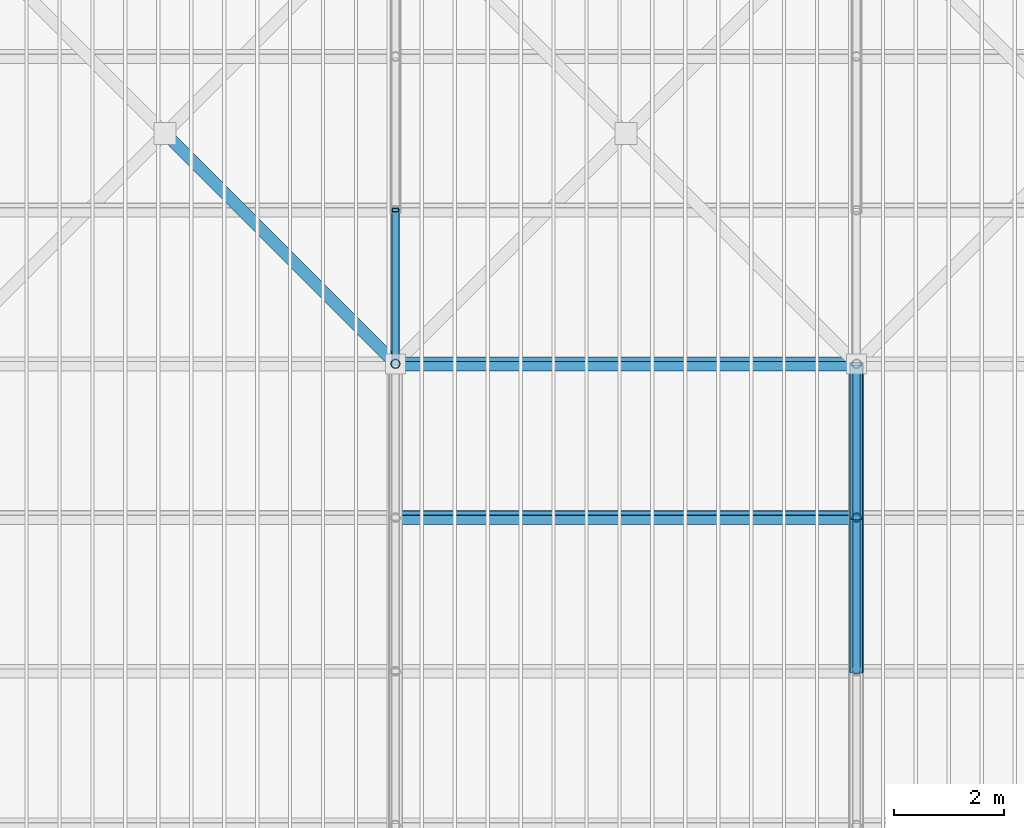
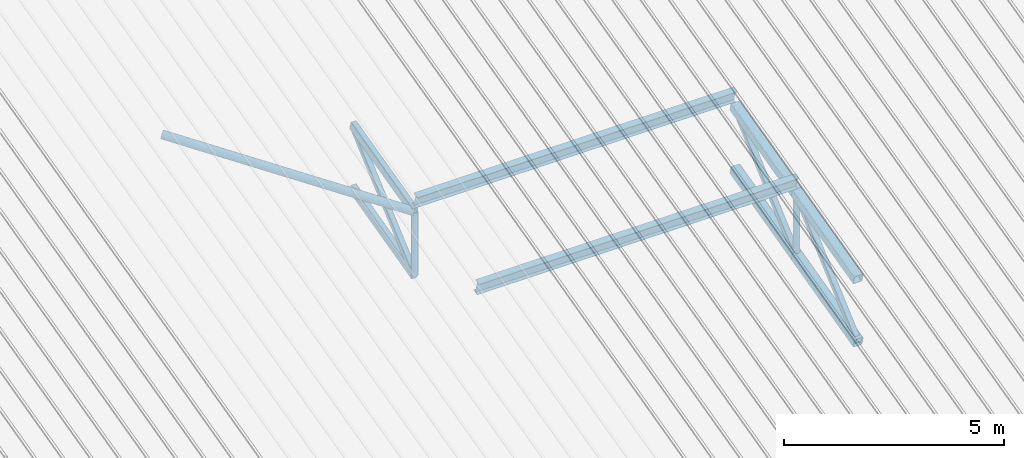
# One storey, part 13 of 114: 14 members.
"""IFC4 building model written with IfcOpenShell, lengths in metres."""

import ifcopenshell
import ifcopenshell.guid

model = None  # the IFC model being written
_history = None  # IfcOwnerHistory: only IFC2X3 demands one
_inside = {}  # id of a spatial element -> (the spatial element, [elements in it])
_under = {}  # id of a project, library or spatial element -> (it, [spatial elements below it])
_declared = {}  # id of a project -> (the project, [libraries it declares])
_typed = {}  # id of a type object -> (the type object, [elements of that type])
_made_of = {}  # id of a material, layer set ... -> (it, [elements and type objects made of it])


def new_model(schema):
    """Start an empty IFC model of exactly this schema.

    Asked for "IFC4X3", IfcOpenShell would pick the latest addendum, in which some entities
    have other attributes; the version numbers below select the first issue.
    IFC2X3 requires an IfcOwnerHistory on every rooted entity: one is made here for all.
    """
    global model, _history
    if schema == "IFC4X3":
        model = ifcopenshell.file(schema_version=(4, 3, 0, 0))
    else:
        model = ifcopenshell.file(schema=schema)
    _inside.clear()
    _under.clear()
    _declared.clear()
    _typed.clear()
    _made_of.clear()
    _history = None
    if model.schema == "IFC2X3":
        org = make("IfcOrganization", Name="unknown")
        user = make(
            "IfcPersonAndOrganization",
            ThePerson=make("IfcPerson", FamilyName="unknown"),
            TheOrganization=org,
        )
        app = make(
            "IfcApplication",
            ApplicationDeveloper=org,
            Version="unknown",
            ApplicationFullName="unknown",
            ApplicationIdentifier="unknown",
        )
        _history = make(
            "IfcOwnerHistory",
            OwningUser=user,
            OwningApplication=app,
            ChangeAction="ADDED",
            CreationDate=0,
        )
    return model


def make(cls, **values):
    """One entity of the class cls with the attributes given. An attribute that is None is left unset."""
    return model.create_entity(
        cls, **{name: value for name, value in values.items() if value is not None}
    )


def rooted(cls, **values):
    """An entity with a GlobalId (a new one), such as an element, a storey or a relation."""
    return make(cls, GlobalId=ifcopenshell.guid.new(), OwnerHistory=_history, **values)


def si_unit(unit_type, name, prefix=None):
    """IfcSIUnit, for example si_unit("LENGTHUNIT", "METRE", prefix="MILLI")."""
    return make("IfcSIUnit", UnitType=unit_type, Prefix=prefix, Name=name)


def assignment(units):
    """IfcUnitAssignment: the units of a project."""
    return None if units is None else make("IfcUnitAssignment", Units=units)


def point(xyz):
    """IfcCartesianPoint."""
    return None if xyz is None else make("IfcCartesianPoint", Coordinates=xyz)


def direction(xyz):
    """IfcDirection."""
    return None if xyz is None else make("IfcDirection", DirectionRatios=xyz)


def frame(location, z_axis=None, x_axis=None):
    """IfcAxis2Placement3D, a coordinate frame: its origin and axes. An axis left out is left unset."""
    return make(
        "IfcAxis2Placement3D",
        Location=point(location),
        Axis=direction(z_axis),
        RefDirection=direction(x_axis),
    )


def frame_2d(location, x_axis=None):
    """IfcAxis2Placement2D, a coordinate frame in the plane: its origin and x axis."""
    return make(
        "IfcAxis2Placement2D", Location=point(location), RefDirection=direction(x_axis)
    )


def origin():
    """The frame at (0, 0, 0) with its axes left unset."""
    return frame((0.0, 0.0, 0.0))


def origin_2d():
    """The frame at (0, 0) in the plane with its x axis left unset."""
    return frame_2d((0.0, 0.0))


def place(relative_to, where):
    """IfcLocalPlacement: puts the frame where relative to a parent placement (None: the world)."""
    return make(
        "IfcLocalPlacement", PlacementRelTo=relative_to, RelativePlacement=where
    )


def context(
    kind, dimensions, precision=None, world=None, true_north=None, identifier=None
):
    """IfcGeometricRepresentationContext, for example the 3D "Model" context."""
    return make(
        "IfcGeometricRepresentationContext",
        ContextIdentifier=identifier,
        ContextType=kind,
        CoordinateSpaceDimension=dimensions,
        Precision=precision,
        WorldCoordinateSystem=world,
        TrueNorth=true_north,
    )


def subcontext(parent, identifier, kind, view, scale=None):
    """IfcGeometricRepresentationSubContext, for example "Body" below "Model"."""
    return make(
        "IfcGeometricRepresentationSubContext",
        ContextIdentifier=identifier,
        ContextType=kind,
        ParentContext=parent,
        TargetScale=scale,
        TargetView=view,
    )


def project(units=None, contexts=None):
    """IfcProject with its units and contexts."""
    return rooted(
        "IfcProject",
        Name="project",
        RepresentationContexts=contexts,
        UnitsInContext=assignment(units),
    )


def spatial(cls, under=None, at=None, **own):
    """A site, building, storey or space (cls), placed at a placement, below another one or the project."""
    s = rooted(cls, ObjectPlacement=at, **own)
    if under is not None:
        _under.setdefault(under.id(), (under, []))[1].append(s)
    return s


def profile(cls, at=None, kind="AREA", **sizes):
    """A parametric profile (cls). Its sizes go by their IFC names, for example OverallWidth=200.0."""
    return make(cls, ProfileType=kind, Position=at, **sizes)


def hollow_rectangle(**sizes):
    """IfcRectangleHollowProfileDef."""
    return profile("IfcRectangleHollowProfileDef", **sizes)


def hollow_circle(**sizes):
    """IfcCircleHollowProfileDef."""
    return profile("IfcCircleHollowProfileDef", **sizes)


def i_section(**sizes):
    """IfcIShapeProfileDef."""
    return profile("IfcIShapeProfileDef", **sizes)


def extrude(swept, where, along, depth):
    """IfcExtrudedAreaSolid: the profile swept, set in the frame where, extruded along a direction by depth."""
    return make(
        "IfcExtrudedAreaSolid",
        SweptArea=swept,
        Position=where,
        ExtrudedDirection=direction(along),
        Depth=depth,
    )


def shape(context_of_items, identifier, shape_type, items):
    """IfcShapeRepresentation: the items that make up one representation, for example the "Body"."""
    return make(
        "IfcShapeRepresentation",
        ContextOfItems=context_of_items,
        RepresentationIdentifier=identifier,
        RepresentationType=shape_type,
        Items=items,
    )


def material(Name=None, Category=None):
    """IfcMaterial."""
    return make("IfcMaterial", Name=Name, Category=Category)


def material_profile(
    of_material, cross_section, Name=None, Category=None, Priority=None
):
    """IfcMaterialProfile: a cross section and its material."""
    return make(
        "IfcMaterialProfile",
        Name=Name,
        Material=of_material,
        Profile=cross_section,
        Priority=Priority,
        Category=Category,
    )


def profile_set(profiles, Name=None, composite=None):
    """IfcMaterialProfileSet."""
    return make(
        "IfcMaterialProfileSet",
        Name=Name,
        MaterialProfiles=profiles,
        CompositeProfile=composite,
    )


def made_of(thing, what):
    """Note that an element or type object is made of a material, layer set ...; save() writes the relation."""
    if what is not None:
        _made_of.setdefault(what.id(), (what, []))[1].append(thing)
    return thing


def type_object(cls, material=None, **own):
    """A type object (cls), such as IfcWallType, which elements share."""
    return made_of(rooted(cls, **own), material)


def element(
    cls,
    number,
    at=None,
    inside=None,
    cuts=None,
    type_object=None,
    material=None,
    context=None,
    identifier="Body",
    shape_type=None,
    held_by="IfcProductDefinitionShape",
    body=None,
    shapes=None,
    **own,
):
    """One element of the class cls, such as IfcWall. Its Tag is "e" and its number.

    at: its placement. inside: the storey or other place that contains it. cuts: it is an
    opening in that element (IfcRelVoidsElement). A single representation is given by context,
    identifier, shape_type and body (its items); several are given by shapes. held_by: the class
    of the entity that holds the representations. save() writes the other relations.
    """
    e = rooted(cls, Tag="e%d" % number, ObjectPlacement=at, **own)
    if body is not None:
        shapes = [shape(context, identifier, shape_type, body)]
    if shapes is not None:
        e.Representation = make(held_by, Representations=shapes)
    if inside is not None:
        _inside.setdefault(inside.id(), (inside, []))[1].append(e)
    if cuts is not None:
        rooted(
            "IfcRelVoidsElement", RelatingBuildingElement=cuts, RelatedOpeningElement=e
        )
    if type_object is not None:
        _typed.setdefault(type_object.id(), (type_object, []))[1].append(e)
    return made_of(e, material)


def aggregate(whole, parts):
    """IfcRelAggregates: a whole, such as a stair, and the parts it consists of."""
    return rooted("IfcRelAggregates", RelatingObject=whole, RelatedObjects=parts)


def save(model, path):
    """Write the relations noted so far, then the file.

    IfcRelAggregates (storeys below a building ...), IfcRelContainedInSpatialStructure (elements
    in a storey), IfcRelDefinesByType, IfcRelAssociatesMaterial and IfcRelDeclares: one each for
    every whole, place, type object, material and project.
    """
    for whole, parts in _under.values():
        aggregate(whole, parts)
    for where, things in _inside.values():
        rooted(
            "IfcRelContainedInSpatialStructure",
            RelatedElements=things,
            RelatingStructure=where,
        )
    for kind, things in _typed.values():
        rooted("IfcRelDefinesByType", RelatedObjects=things, RelatingType=kind)
    for what, things in _made_of.values():
        rooted("IfcRelAssociatesMaterial", RelatedObjects=things, RelatingMaterial=what)
    for by, libraries in _declared.values():
        rooted("IfcRelDeclares", RelatingContext=by, RelatedDefinitions=libraries)
    model.write(path)


model = new_model("IFC4")

# Units and contexts
model_context = context("Model", 3, precision=1e-05, world=origin(), true_north=direction((0.0, 1.0)))
body_context = subcontext(model_context, "Body", "Model", "MODEL_VIEW")
ifc_project = project(units=[si_unit("LENGTHUNIT", "METRE"), si_unit("AREAUNIT", "SQUARE_METRE"), si_unit("VOLUMEUNIT", "CUBIC_METRE"), si_unit("PLANEANGLEUNIT", "RADIAN"), si_unit("MASSUNIT", "GRAM", prefix="KILO")], contexts=[model_context])

# Site, building, storey
site_placement = place(None, origin())
site = spatial("IfcSite", under=ifc_project, at=site_placement, CompositionType="ELEMENT")
building_placement = place(site_placement, origin())
building = spatial("IfcBuilding", under=site, at=building_placement, Name="Almond Square Museum", CompositionType="ELEMENT")
storey_placement = place(building_placement, frame((0.0, 0.0, 10.5)))
storey = spatial("IfcBuildingStorey", under=building, at=storey_placement, Name="L02", CompositionType="ELEMENT", Elevation=10.5)

# Members
ifc_material_1 = material(Name="Structural steel S355", Category="steel")
ifc_material_profile_1 = material_profile(ifc_material_1, hollow_circle(Radius=0.109619140625, WallThickness=0.010009765625, at=origin_2d()))
ifc_profile_set_1 = profile_set([ifc_material_profile_1], Name="Structural steel S355")
member_type_1 = type_object("IfcMemberType", Name="Roof brace CHS 219.1x10", PredefinedType="BRACE", material=ifc_profile_set_1)
member_placement = place(storey_placement, frame((22.800048828125, 100.800048828125, 6.9794921875), z_axis=(-0.696057820864, 0.696057820864, 0.176088103029), x_axis=(-0.707106781187, -0.707106781187, 0.0)))
element("IfcMember", 1, at=member_placement, inside=storey, type_object=member_type_1, Name="Auditorium roof plan brace", PredefinedType="BRACE", context=body_context, shape_type="SweptSolid", body=[
    extrude(hollow_circle(Radius=0.109619140625, WallThickness=0.010009765625, at=origin_2d()), origin(), (0.0, 0.0, 1.0), 6.033935546875),
])
ifc_material_2 = material(Name="Structural steel S355", Category="steel")
ifc_material_profile_2 = material_profile(ifc_material_2, i_section(OverallWidth=0.1708984375, OverallDepth=0.35595703125, WebThickness=0.00732421875, FlangeThickness=0.01171875, at=origin_2d()))
ifc_profile_set_2 = profile_set([ifc_material_profile_2], Name="Structural steel S355")
member_type_2 = type_object("IfcMemberType", Name="Steel purlin W360x51", PredefinedType="PURLIN", material=ifc_profile_set_2)
for number, where, z_axis, x_axis, name in (
    (2, (22.800048828125, 98.0, 6.579833984375), (1.0, 0.0, 0.0), (0.0, 0.969459905022, 0.245249857402), "Auditorium purlin 10.3"),
    (3, (22.800048828125, 100.800048828125, 7.2880859375), (1.0, 0.0, 0.0), (0.0, 0.969459905022, 0.245249857402), "Auditorium purlin 11.3"),
):
    element("IfcMember", number, at=place(storey_placement, frame(where, z_axis=z_axis, x_axis=x_axis)), inside=storey, type_object=member_type_2, Name=name, PredefinedType="PURLIN", context=body_context, shape_type="SweptSolid", body=[
        extrude(i_section(OverallWidth=0.1708984375, OverallDepth=0.35595703125, WebThickness=0.00732421875, FlangeThickness=0.01171875, at=origin_2d()), origin(), (0.0, 0.0, 1.0), 8.39990234375),
    ])
ifc_material_3 = material(Name="Structural steel S355", Category="steel")
ifc_material_profile_3 = material_profile(ifc_material_3, hollow_rectangle(XDim=0.14990234375, YDim=0.25, WallThickness=0.010009765625, InnerFilletRadius=0.014892578125, OuterFilletRadius=0.02490234375, at=origin_2d()))
ifc_profile_set_3 = profile_set([ifc_material_profile_3], Name="Structural steel S355")
member_type_3 = type_object("IfcMemberType", Name="Truss chord RHS 250x150x10", PredefinedType="CHORD", material=ifc_profile_set_3)
for number, where, z_axis, x_axis, name in (
    (4, (22.800048828125, 100.800048828125, 6.9794921875), (0.0, 0.969447423453, 0.245299191112), (-1.0, 0.0, 0.0), "TR-14 top chord 10"),
    (5, (22.800048828125, 100.800048828125, 5.2294921875), (0.0, 0.969447423453, 0.245299191112), (-1.0, 0.0, 0.0), "TR-14 bottom chord 10"),
):
    element("IfcMember", number, at=place(storey_placement, frame(where, z_axis=z_axis, x_axis=x_axis)), inside=storey, type_object=member_type_3, Name=name, PredefinedType="CHORD", context=body_context, shape_type="SweptSolid", body=[
        extrude(hollow_rectangle(XDim=0.14990234375, YDim=0.25, WallThickness=0.010009765625, InnerFilletRadius=0.014892578125, OuterFilletRadius=0.02490234375, at=origin_2d()), origin(), (0.0, 0.0, 1.0), 2.88818359375),
    ])
ifc_material_4 = material(Name="Structural steel S355", Category="steel")
ifc_material_profile_4 = material_profile(ifc_material_4, hollow_rectangle(XDim=0.25, YDim=0.25, WallThickness=0.012451171875, InnerFilletRadius=0.02490234375, OuterFilletRadius=0.03759765625, at=origin_2d()))
ifc_profile_set_4 = profile_set([ifc_material_profile_4], Name="Structural steel S355")
member_type_4 = type_object("IfcMemberType", Name="Truss chord SHS 250x250x12.5", PredefinedType="CHORD", material=ifc_profile_set_4)
for number, where, z_axis, x_axis, name in (
    (6, (31.199951171875, 95.199951171875, 5.56298828125), (0.0, 0.969467521681, 0.245219747179), (-1.0, 0.0, 0.0), "TR-15 top chord 8"),
    (7, (31.199951171875, 95.199951171875, 3.81298828125), (0.0, 0.969467521681, 0.245219747179), (-1.0, 0.0, 0.0), "TR-15 bottom chord 8"),
    (8, (31.199951171875, 98.0, 6.271240234375), (0.0, 0.969467521681, 0.245219747179), (-1.0, 0.0, 0.0), "TR-15 top chord 9"),
    (9, (31.199951171875, 98.0, 4.521240234375), (0.0, 0.969467521681, 0.245219747179), (-1.0, 0.0, 0.0), "TR-15 bottom chord 9"),
):
    element("IfcMember", number, at=place(storey_placement, frame(where, z_axis=z_axis, x_axis=x_axis)), inside=storey, type_object=member_type_4, Name=name, PredefinedType="CHORD", context=body_context, shape_type="SweptSolid", body=[
        extrude(hollow_rectangle(XDim=0.25, YDim=0.25, WallThickness=0.012451171875, InnerFilletRadius=0.02490234375, OuterFilletRadius=0.03759765625, at=origin_2d()), origin(), (0.0, 0.0, 1.0), 2.88818359375),
    ])
ifc_material_5 = material(Name="Structural steel S355", Category="steel")
ifc_material_profile_5 = material_profile(ifc_material_5, hollow_rectangle(XDim=0.14990234375, YDim=0.14990234375, WallThickness=0.008056640625, InnerFilletRadius=0.011962890625, OuterFilletRadius=0.02001953125, at=origin_2d()))
ifc_profile_set_5 = profile_set([ifc_material_profile_5], Name="Structural steel S355")
member_type_5 = type_object("IfcMemberType", Name="Truss diagonal SHS 150x150x8", PredefinedType="BRACE", material=ifc_profile_set_5)
for number, where, z_axis, x_axis, name in (
    (10, (22.800048828125, 100.800048828125, 5.2294921875), (0.0, 0.751451317382, 0.659788540068), (-1.0, 0.0, 0.0), "TR-14 diagonal 10"),
    (11, (31.199951171875, 95.199951171875, 3.81298828125), (0.0, 0.751483802729, 0.659751539775), (-1.0, 0.0, 0.0), "TR-15 diagonal 8"),
    (12, (31.199951171875, 98.0, 4.521240234375), (0.0, 0.751483802729, 0.659751539775), (-1.0, 0.0, 0.0), "TR-15 diagonal 9"),
):
    element("IfcMember", number, at=place(storey_placement, frame(where, z_axis=z_axis, x_axis=x_axis)), inside=storey, type_object=member_type_5, Name=name, PredefinedType="BRACE", context=body_context, shape_type="SweptSolid", body=[
        extrude(hollow_rectangle(XDim=0.14990234375, YDim=0.14990234375, WallThickness=0.008056640625, InnerFilletRadius=0.011962890625, OuterFilletRadius=0.02001953125, at=origin_2d()), origin(), (0.0, 0.0, 1.0), 3.72607421875),
    ])
ifc_material_6 = material(Name="Structural steel S355", Category="steel")
ifc_material_profile_6 = material_profile(ifc_material_6, hollow_circle(Radius=0.084228515625, WallThickness=0.008056640625, at=origin_2d()))
ifc_profile_set_6 = profile_set([ifc_material_profile_6], Name="Structural steel S355")
member_type_6 = type_object("IfcMemberType", Name="Truss post CHS 168.3x8", PredefinedType="POST", material=ifc_profile_set_6)
for number, where, z_axis, x_axis, name in (
    (13, (22.800048828125, 100.800048828125, 5.2294921875), (0.0, 0.0, 1.0), (1.0, 0.0, 0.0), "TR-14 post 10"),
    (14, (31.199951171875, 98.0, 4.521240234375), (0.0, 0.0, 1.0), (1.0, 0.0, 0.0), "TR-15 post 9"),
):
    element("IfcMember", number, at=place(storey_placement, frame(where, z_axis=z_axis, x_axis=x_axis)), inside=storey, type_object=member_type_6, Name=name, PredefinedType="POST", context=body_context, shape_type="SweptSolid", body=[
        extrude(hollow_circle(Radius=0.084228515625, WallThickness=0.008056640625, at=origin_2d()), origin(), (0.0, 0.0, 1.0), 1.75),
    ])

save(model, "model.ifc")
